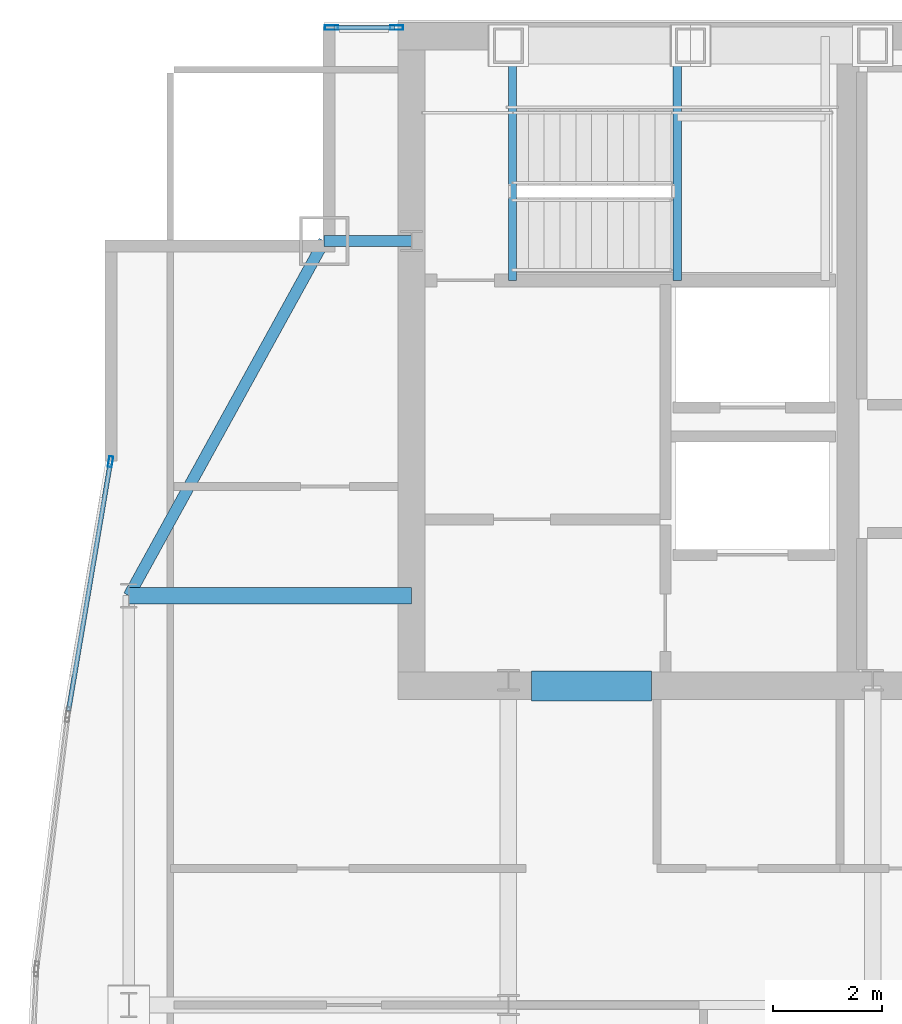
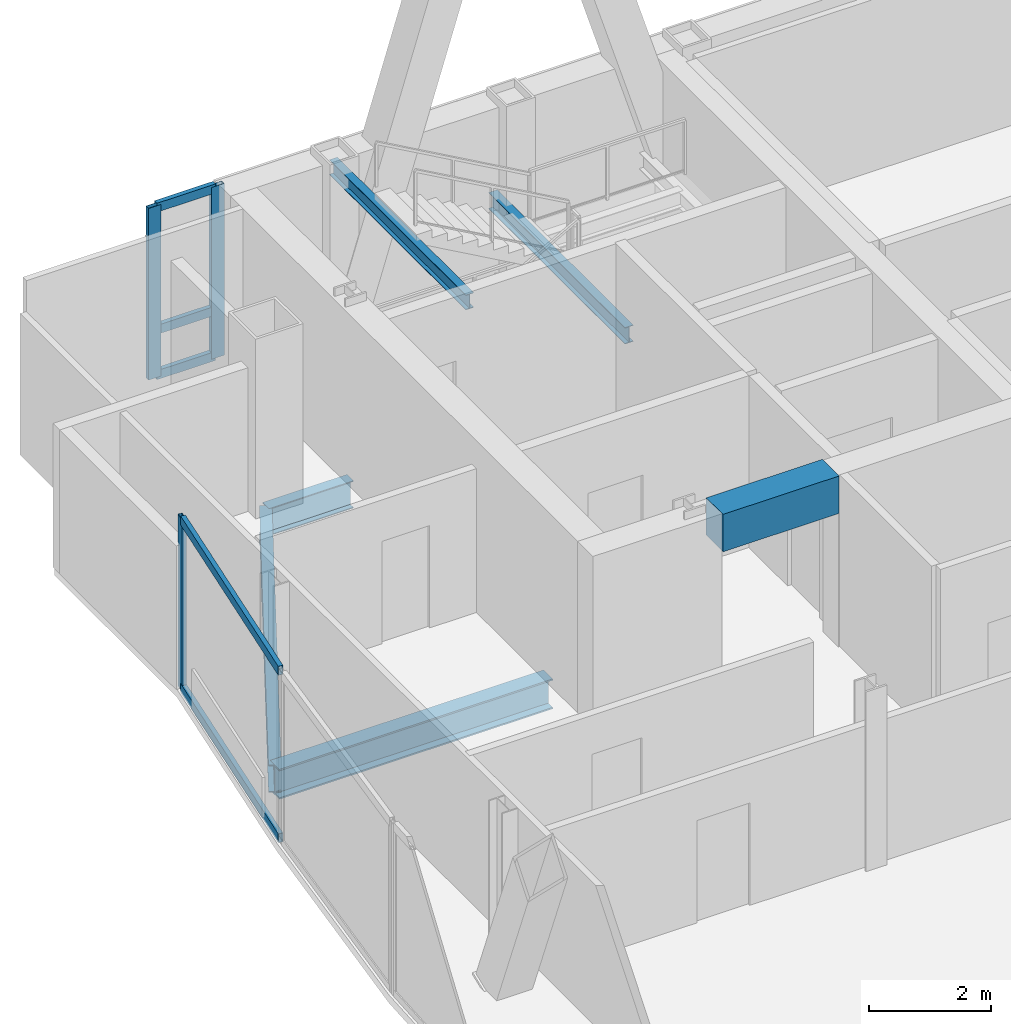
# One storey, part 20 of 29: 8 members, 6 beams, 2 elements without a shape of their own.
"""IFC4 building model written with IfcOpenShell, lengths in metres."""

from ifc_helpers import new_model, si_unit, direction, frame, origin, origin_2d, place, context, subcontext, project, spatial, rectangle, hollow_rectangle, i_section, extrude, material, material_profile, profile_set, type_object, element, aggregate, save


model = new_model("IFC4")

# Units and contexts
model_context = context("Model", 3, precision=1e-05, world=origin(), true_north=direction((0.0, 1.0)))
body_context = subcontext(model_context, "Body", "Model", "MODEL_VIEW")
ifc_project = project(units=[si_unit("LENGTHUNIT", "METRE"), si_unit("AREAUNIT", "SQUARE_METRE"), si_unit("VOLUMEUNIT", "CUBIC_METRE"), si_unit("PLANEANGLEUNIT", "RADIAN"), si_unit("MASSUNIT", "GRAM", prefix="KILO")], contexts=[model_context])

# Site, building, storey
site_placement = place(None, origin())
site = spatial("IfcSite", under=ifc_project, at=site_placement, CompositionType="ELEMENT")
building_placement = place(site_placement, origin())
building = spatial("IfcBuilding", under=site, at=building_placement, Name="Khoronbel Lancet Exchange", CompositionType="ELEMENT")
storey_placement = place(building_placement, frame((0.0, 0.0, 336.199951171875)))
storey = spatial("IfcBuildingStorey", under=building, at=storey_placement, Name="L87", CompositionType="ELEMENT", Elevation=336.199951171875)

# Beams
ifc_material_1 = material(Name="Steel S355", Category="steel")
ifc_material_profile_1 = material_profile(ifc_material_1, i_section(OverallWidth=0.300048828125, OverallDepth=0.60009765625, WebThickness=0.015380859375, FlangeThickness=0.030029296875, at=origin_2d()), Name="HEB 600")
ifc_profile_set_1 = profile_set([ifc_material_profile_1], Name="Steel S355")
beam_type_1 = type_object("IfcBeamType", Name="BM-BG5", PredefinedType="BEAM", material=ifc_profile_set_1)
beam_1_placement = place(storey_placement, frame((11.27001953125, 43.199951171875, -0.4599609375), z_axis=(1.0, 0.0, 0.0), x_axis=(0.0, 1.0, 0.0)))
element("IfcBeam", 1, at=beam_1_placement, inside=storey, type_object=beam_type_1, Name="Level L87 west lens tie girder LG3W", PredefinedType="BEAM", context=body_context, shape_type="SweptSolid", body=[
    extrude(i_section(OverallWidth=0.300048828125, OverallDepth=0.60009765625, WebThickness=0.015380859375, FlangeThickness=0.030029296875, at=origin_2d()), origin(), (0.0, 0.0, 1.0), 5.179931640625),
])
ifc_material_profile_2 = material_profile(ifc_material_1, i_section(OverallWidth=0.159912109375, OverallDepth=0.330078125, WebThickness=0.007568359375, FlangeThickness=0.011474609375, at=origin_2d()), Name="IPE 330")
ifc_profile_set_2 = profile_set([ifc_material_profile_2], Name="Steel S355")
beam_type_2 = type_object("IfcBeamType", Name="BM-BJ7", PredefinedType="JOIST", material=ifc_profile_set_2)
beam_2_placement = place(storey_placement, frame((21.320068359375, 48.97998046875, 1.43505859375), z_axis=(0.0, 1.0, 0.0), x_axis=(-1.0, 0.0, 0.0)))
element("IfcBeam", 2, at=beam_2_placement, inside=storey, type_object=beam_type_2, Name="Level L87 stair ST1 landing bearer beam 1", PredefinedType="JOIST", context=body_context, shape_type="SweptSolid", body=[
    extrude(i_section(OverallWidth=0.159912109375, OverallDepth=0.330078125, WebThickness=0.007568359375, FlangeThickness=0.011474609375, at=origin_2d()), origin(), (0.0, 0.0, 1.0), 4.469970703125),
])
ifc_material_profile_3 = material_profile(ifc_material_1, i_section(OverallWidth=0.14990234375, OverallDepth=0.300048828125, WebThickness=0.007080078125, FlangeThickness=0.0107421875, at=origin_2d()), Name="IPE 300")
ifc_profile_set_3 = profile_set([ifc_material_profile_3], Name="Steel S355")
beam_type_3 = type_object("IfcBeamType", Name="BM-BJ8", PredefinedType="JOIST", material=ifc_profile_set_3)
beam_3_placement = place(storey_placement, frame((18.300048828125, 48.97998046875, 3.16015625), z_axis=(0.0, 1.0, 0.0), x_axis=(-1.0, 0.0, 0.0)))
element("IfcBeam", 3, at=beam_3_placement, inside=storey, type_object=beam_type_3, Name="Level L87 stair ST1 upper-flight arrival trimmer beam", PredefinedType="JOIST", context=body_context, shape_type="SweptSolid", body=[
    extrude(i_section(OverallWidth=0.14990234375, OverallDepth=0.300048828125, WebThickness=0.007080078125, FlangeThickness=0.0107421875, at=origin_2d()), origin(), (0.0, 0.0, 1.0), 4.469970703125),
])
ifc_material_2 = material(Name="Concrete C60/75", Category="concrete")
ifc_material_profile_4 = material_profile(ifc_material_2, rectangle(XDim=0.550048828125, YDim=0.75, at=origin_2d()), Name="RC 550x750")
ifc_profile_set_4 = profile_set([ifc_material_profile_4], Name="Concrete C60/75")
beam_type_4 = type_object("IfcBeamType", Name="BM-BL2", PredefinedType="LINTEL", material=ifc_profile_set_4)
beam_4_placement = place(storey_placement, frame((18.64990234375, 41.550048828125, 3.06494140625), z_axis=(1.0, 0.0, 0.0), x_axis=(0.0, 1.0, 0.0)))
element("IfcBeam", 4, at=beam_4_placement, inside=storey, type_object=beam_type_4, Name="Level L87 rear core coupling lintel L1", PredefinedType="LINTEL", context=body_context, shape_type="SweptSolid", body=[
    extrude(rectangle(XDim=0.550048828125, YDim=0.75, at=origin_2d()), origin(), (0.0, 0.0, 1.0), 2.2001953125),
])
ifc_material_profile_5 = material_profile(ifc_material_1, i_section(OverallWidth=0.2099609375, OverallDepth=0.550048828125, WebThickness=0.010986328125, FlangeThickness=0.01708984375, at=origin_2d()), Name="IPE 550")
ifc_profile_set_5 = profile_set([ifc_material_profile_5], Name="Steel S355")
beam_type_5 = type_object("IfcBeamType", Name="BM-BSP3", PredefinedType="SPANDREL", material=ifc_profile_set_5)
beam_5_placement = place(storey_placement, frame((14.85009765625, 49.699951171875, -0.43505859375), z_axis=(-0.482444051088, -0.875926787791, 0.0), x_axis=(0.875926787791, -0.482444051088, 0.0)))
element("IfcBeam", 5, at=beam_5_placement, inside=storey, type_object=beam_type_5, Name="Level L87 perimeter spandrel beam SP14", PredefinedType="SPANDREL", context=body_context, shape_type="SweptSolid", body=[
    extrude(i_section(OverallWidth=0.2099609375, OverallDepth=0.550048828125, WebThickness=0.010986328125, FlangeThickness=0.01708984375, at=origin_2d()), origin(), (0.0, 0.0, 1.0), 7.420654296875),
])
beam_6_placement = place(storey_placement, frame((14.85009765625, 49.699951171875, -0.43505859375), z_axis=(1.0, 0.0, 0.0), x_axis=(0.0, 1.0, 0.0)))
element("IfcBeam", 6, at=beam_6_placement, inside=storey, type_object=beam_type_5, Name="Level L87 north flank tie spandrel SP20", PredefinedType="SPANDREL", context=body_context, shape_type="SweptSolid", body=[
    extrude(i_section(OverallWidth=0.2099609375, OverallDepth=0.550048828125, WebThickness=0.010986328125, FlangeThickness=0.01708984375, at=origin_2d()), origin(), (0.0, 0.0, 1.0), 1.599853515625),
])

# Curtain wall, members
ifc_material_3 = material(Name="Low-E Solar Control Insulating Glass", Category="glass")
curtain_wall_type_1 = type_object("IfcCurtainWallType", Name="CW-3", PredefinedType="NOTDEFINED", material=ifc_material_3)
curtain_wall_1_placement = place(storey_placement, origin())
curtain_wall_1 = element("IfcCurtainWall", 7, at=curtain_wall_1_placement, inside=storey, type_object=curtain_wall_type_1, Name="Unitised curtain wall CW-L87-NWFLK", PredefinedType="NOTDEFINED")
ifc_material_4 = material(Name="Bronze-Anodised Aluminium 6063-T6", Category="aluminium")
ifc_material_profile_6 = material_profile(ifc_material_4, hollow_rectangle(XDim=0.0849609375, YDim=0.239990234375, WallThickness=0.006103515625, at=origin_2d()), Name="ALU MULLION 85x240")
ifc_profile_set_6 = profile_set([ifc_material_profile_6], Name="Bronze-Anodised Aluminium 6063-T6")
member_type_1 = type_object("IfcMemberType", Name="MEM-CWM1", PredefinedType="MULLION", material=ifc_profile_set_6)
member_1_placement = place(storey_placement, frame((16.177490234375, 53.610107421875, 0.0), z_axis=(0.0, 0.0, 1.0), x_axis=(0.0, -1.0, 0.0)))
member_1 = element("IfcMember", 8, at=member_1_placement, type_object=member_type_1, Name="CW3 mullion 1", PredefinedType="MULLION", context=body_context, shape_type="SweptSolid", body=[
    extrude(hollow_rectangle(XDim=0.0849609375, YDim=0.239990234375, WallThickness=0.006103515625, at=origin_2d()), origin(), (0.0, 0.0, 1.0), 3.43994140625),
])
member_2_placement = place(storey_placement, frame((14.982421875, 53.610107421875, 0.0), z_axis=(0.0, 0.0, 1.0), x_axis=(0.0, -1.0, 0.0)))
member_2 = element("IfcMember", 9, at=member_2_placement, type_object=member_type_1, Name="CW3 mullion 2", PredefinedType="MULLION", context=body_context, shape_type="SweptSolid", body=[
    extrude(hollow_rectangle(XDim=0.0849609375, YDim=0.239990234375, WallThickness=0.006103515625, at=origin_2d()), origin(), (0.0, 0.0, 1.0), 3.43994140625),
])

curtain_wall_type_2 = type_object("IfcCurtainWallType", Name="CW-4", PredefinedType="NOTDEFINED", material=ifc_material_3)
curtain_wall_2_placement = place(storey_placement, origin())
curtain_wall_2 = element("IfcCurtainWall", 10, at=curtain_wall_2_placement, inside=storey, type_object=curtain_wall_type_2, Name="Unitised curtain wall CW-L87-E09", PredefinedType="NOTDEFINED")
ifc_material_profile_7 = material_profile(ifc_material_4, hollow_rectangle(XDim=0.074951171875, YDim=0.199951171875, WallThickness=0.0048828125, at=origin_2d()), Name="ALU MULLION 75x200")
ifc_profile_set_7 = profile_set([ifc_material_profile_7], Name="Bronze-Anodised Aluminium 6063-T6")
member_type_2 = type_object("IfcMemberType", Name="MEM-CWM2", PredefinedType="MULLION", material=ifc_profile_set_7)
member_3_placement = place(storey_placement, frame((10.933837890625, 45.655517578125, 0.0), z_axis=(0.0, 0.0, 1.0), x_axis=(-0.986059939458, 0.166390491902, 0.0)))
member_3 = element("IfcMember", 11, at=member_3_placement, type_object=member_type_2, Name="CW4 mullion 2", PredefinedType="MULLION", context=body_context, shape_type="SweptSolid", body=[
    extrude(hollow_rectangle(XDim=0.074951171875, YDim=0.199951171875, WallThickness=0.0048828125, at=origin_2d()), origin(), (0.0, 0.0, 1.0), 3.43994140625),
])
ifc_material_profile_8 = material_profile(ifc_material_4, hollow_rectangle(XDim=0.0849609375, YDim=0.179931640625, WallThickness=0.0048828125, at=origin_2d()), Name="ALU TRANSOM 85x180")
ifc_profile_set_8 = profile_set([ifc_material_profile_8], Name="Bronze-Anodised Aluminium 6063-T6")
member_type_3 = type_object("IfcMemberType", Name="MEM-CWT1", PredefinedType="USERDEFINED", material=ifc_profile_set_8)
member_4_placement = place(storey_placement, frame((10.1640625, 41.09423828125, 0.04248046875), z_axis=(0.166383190337, 0.986061171517, 0.0), x_axis=(-0.986061171517, 0.166383190337, 0.0)))
member_4 = element("IfcMember", 12, at=member_4_placement, type_object=member_type_3, Name="CW4 transom 1.1", ObjectType="TRANSOM", PredefinedType="USERDEFINED", context=body_context, shape_type="SweptSolid", body=[
    extrude(hollow_rectangle(XDim=0.0849609375, YDim=0.179931640625, WallThickness=0.0048828125, at=origin_2d()), origin(), (0.0, 0.0, 1.0), 4.58837890625),
])
member_5_placement = place(storey_placement, frame((10.1640625, 41.09423828125, 3.3974609375), z_axis=(0.166383190337, 0.986061171517, 0.0), x_axis=(-0.986061171517, 0.166383190337, 0.0)))
member_5 = element("IfcMember", 13, at=member_5_placement, type_object=member_type_3, Name="CW4 transom 1.2", ObjectType="TRANSOM", PredefinedType="USERDEFINED", context=body_context, shape_type="SweptSolid", body=[
    extrude(hollow_rectangle(XDim=0.0849609375, YDim=0.179931640625, WallThickness=0.0048828125, at=origin_2d()), origin(), (0.0, 0.0, 1.0), 4.58837890625),
])
aggregate(curtain_wall_2, [member_3, member_4, member_5])

# Member
member_6_placement = place(storey_placement, frame((16.135009765625, 53.610107421875, 0.04248046875), z_axis=(-1.0, 0.0, 0.0), x_axis=(0.0, -1.0, 0.0)))
member_6 = element("IfcMember", 14, at=member_6_placement, type_object=member_type_3, Name="CW3 transom 1.1", ObjectType="TRANSOM", PredefinedType="USERDEFINED", context=body_context, shape_type="SweptSolid", body=[
    extrude(hollow_rectangle(XDim=0.0849609375, YDim=0.179931640625, WallThickness=0.0048828125, at=origin_2d()), origin(), (0.0, 0.0, 1.0), 1.110107421875),
])

member_7_placement = place(storey_placement, frame((16.135009765625, 53.610107421875, 0.949951171875), z_axis=(-1.0, 0.0, 0.0), x_axis=(0.0, -1.0, 0.0)))
member_7 = element("IfcMember", 15, at=member_7_placement, type_object=member_type_3, Name="CW3 transom 1.2", ObjectType="TRANSOM", PredefinedType="USERDEFINED", context=body_context, shape_type="SweptSolid", body=[
    extrude(hollow_rectangle(XDim=0.0849609375, YDim=0.179931640625, WallThickness=0.0048828125, at=origin_2d()), origin(), (0.0, 0.0, 1.0), 1.110107421875),
])

member_8_placement = place(storey_placement, frame((16.135009765625, 53.610107421875, 3.3974609375), z_axis=(-1.0, 0.0, 0.0), x_axis=(0.0, -1.0, 0.0)))
member_8 = element("IfcMember", 16, at=member_8_placement, type_object=member_type_3, Name="CW3 transom 1.3", ObjectType="TRANSOM", PredefinedType="USERDEFINED", context=body_context, shape_type="SweptSolid", body=[
    extrude(hollow_rectangle(XDim=0.0849609375, YDim=0.179931640625, WallThickness=0.0048828125, at=origin_2d()), origin(), (0.0, 0.0, 1.0), 1.110107421875),
])

aggregate(curtain_wall_1, [member_1, member_2, member_6, member_7, member_8])

save(model, "model.ifc")
